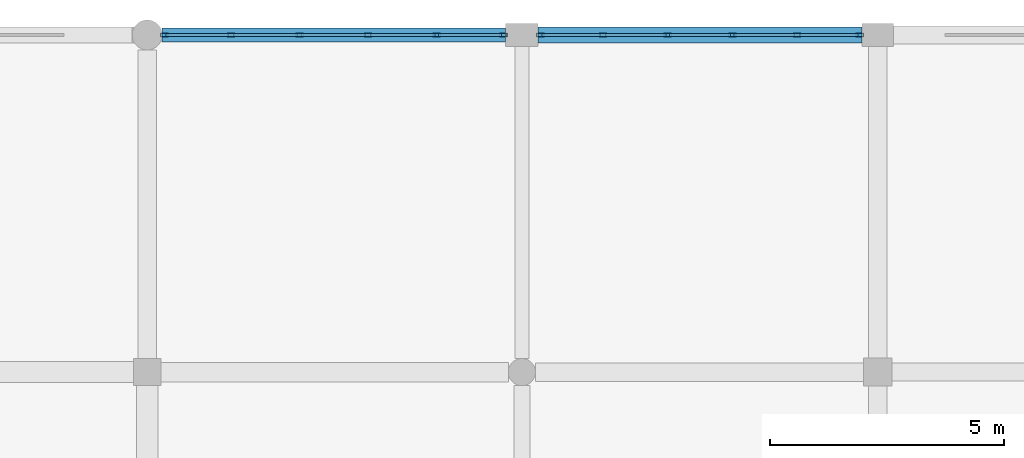
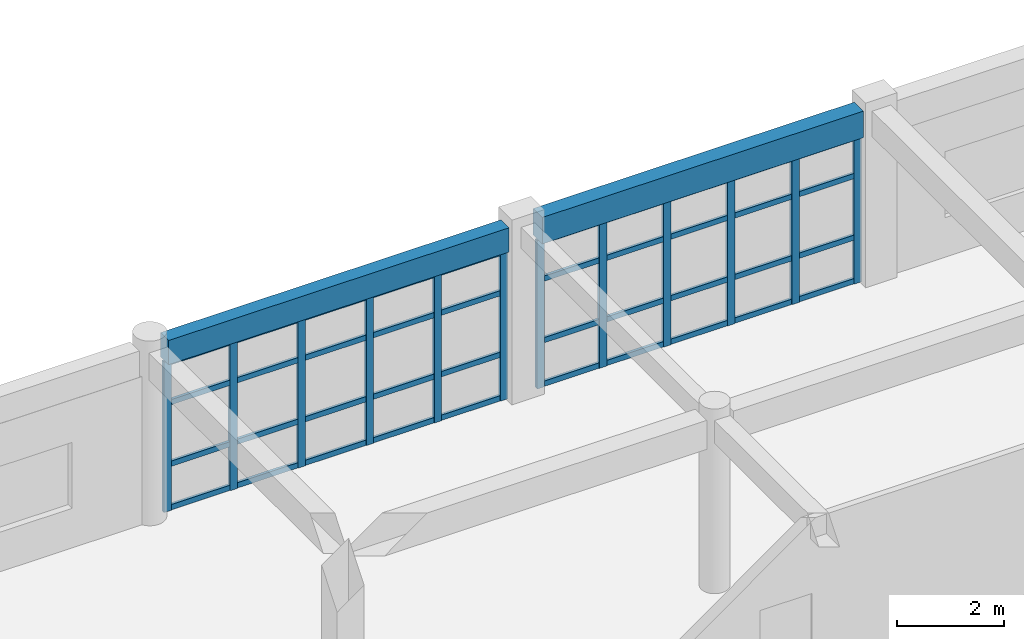
# One storey, part 33 of 53: 52 members, 2 beams, 2 elements without a shape of their own.
"""IFC4 building model written with IfcOpenShell, lengths in metres."""

from ifc_helpers import new_model, si_unit, direction, frame, origin, origin_2d, place, context, subcontext, project, spatial, rectangle, hollow_rectangle, extrude, material, material_profile, profile_set, type_object, element, aggregate, save


model = new_model("IFC4")

# Units and contexts
model_context = context("Model", 3, precision=1e-05, world=origin(), true_north=direction((0.0, 1.0)))
body_context = subcontext(model_context, "Body", "Model", "MODEL_VIEW")
ifc_project = project(units=[si_unit("LENGTHUNIT", "METRE"), si_unit("AREAUNIT", "SQUARE_METRE"), si_unit("VOLUMEUNIT", "CUBIC_METRE"), si_unit("PLANEANGLEUNIT", "RADIAN"), si_unit("MASSUNIT", "GRAM", prefix="KILO")], contexts=[model_context])

# Site, building, storey
site_placement = place(None, origin())
site = spatial("IfcSite", under=ifc_project, at=site_placement, CompositionType="ELEMENT")
building_placement = place(site_placement, origin())
building = spatial("IfcBuilding", under=site, at=building_placement, Name="Kharva Crest Polytechnic", CompositionType="ELEMENT")
storey_placement = place(building_placement, frame((0.0, 0.0, 17.39990234375)))
storey = spatial("IfcBuildingStorey", under=building, at=storey_placement, Name="L04", CompositionType="ELEMENT", Elevation=17.39990234375)

# Curtain wall, members
ifc_material_1 = material(Name="Tempered insulated glass", Category="glass")
curtain_wall_type = type_object("IfcCurtainWallType", Name="CW-SYS-STUDIO", PredefinedType="USERDEFINED", material=ifc_material_1)
curtain_wall_1_placement = place(storey_placement, origin())
curtain_wall_1 = element("IfcCurtainWall", 1, at=curtain_wall_1_placement, inside=storey, type_object=curtain_wall_type, Name="L04 Glazed Curtain Wall CW-173", ObjectType="CURTAIN WALL", PredefinedType="USERDEFINED")
ifc_material_2 = material(Name="Steel S355", Category="steel")
ifc_material_profile_1 = material_profile(ifc_material_2, hollow_rectangle(XDim=0.080078125, YDim=0.159912109375, WallThickness=0.0048828125, at=origin_2d()), Name="RHS 160X80X5.0")
ifc_profile_set_1 = profile_set([ifc_material_profile_1], Name="Steel S355")
member_type_1 = type_object("IfcMemberType", Name="CWM-RHS160X80", PredefinedType="MULLION", material=ifc_profile_set_1)
member_1_placement = place(storey_placement, frame((176.014892578125, 122.0, 0.0), z_axis=(0.0, 0.0, 1.0), x_axis=(0.0, -1.0, 0.0)))
member_1 = element("IfcMember", 2, at=member_1_placement, type_object=member_type_1, Name="CW-173 mullion 1", PredefinedType="MULLION", context=body_context, shape_type="SweptSolid", body=[
    extrude(hollow_rectangle(XDim=0.080078125, YDim=0.159912109375, WallThickness=0.0048828125, at=origin_2d()), origin(), (0.0, 0.0, 1.0), 3.3701171875),
])
member_2_placement = place(storey_placement, frame((174.675048828125, 122.0, 0.0), z_axis=(0.0, 0.0, 1.0), x_axis=(0.0, -1.0, 0.0)))
member_2 = element("IfcMember", 3, at=member_2_placement, type_object=member_type_1, Name="CW-173 mullion 2", PredefinedType="MULLION", context=body_context, shape_type="SweptSolid", body=[
    extrude(hollow_rectangle(XDim=0.080078125, YDim=0.159912109375, WallThickness=0.0048828125, at=origin_2d()), origin(), (0.0, 0.0, 1.0), 3.3701171875),
])
member_3_placement = place(storey_placement, frame((173.294921875, 122.0, 0.0), z_axis=(0.0, 0.0, 1.0), x_axis=(0.0, -1.0, 0.0)))
member_3 = element("IfcMember", 4, at=member_3_placement, type_object=member_type_1, Name="CW-173 mullion 3", PredefinedType="MULLION", context=body_context, shape_type="SweptSolid", body=[
    extrude(hollow_rectangle(XDim=0.080078125, YDim=0.159912109375, WallThickness=0.0048828125, at=origin_2d()), origin(), (0.0, 0.0, 1.0), 3.3701171875),
])
member_4_placement = place(storey_placement, frame((171.9150390625, 122.0, 0.0), z_axis=(0.0, 0.0, 1.0), x_axis=(0.0, -1.0, 0.0)))
member_4 = element("IfcMember", 5, at=member_4_placement, type_object=member_type_1, Name="CW-173 mullion 4", PredefinedType="MULLION", context=body_context, shape_type="SweptSolid", body=[
    extrude(hollow_rectangle(XDim=0.080078125, YDim=0.159912109375, WallThickness=0.0048828125, at=origin_2d()), origin(), (0.0, 0.0, 1.0), 3.3701171875),
])
member_5_placement = place(storey_placement, frame((170.534912109375, 122.0, 0.0), z_axis=(0.0, 0.0, 1.0), x_axis=(0.0, -1.0, 0.0)))
member_5 = element("IfcMember", 6, at=member_5_placement, type_object=member_type_1, Name="CW-173 mullion 5", PredefinedType="MULLION", context=body_context, shape_type="SweptSolid", body=[
    extrude(hollow_rectangle(XDim=0.080078125, YDim=0.159912109375, WallThickness=0.0048828125, at=origin_2d()), origin(), (0.0, 0.0, 1.0), 3.3701171875),
])
member_6_placement = place(storey_placement, frame((169.195068359375, 122.0, 0.0), z_axis=(0.0, 0.0, 1.0), x_axis=(0.0, -1.0, 0.0)))
member_6 = element("IfcMember", 7, at=member_6_placement, type_object=member_type_1, Name="CW-173 mullion 6", PredefinedType="MULLION", context=body_context, shape_type="SweptSolid", body=[
    extrude(hollow_rectangle(XDim=0.080078125, YDim=0.159912109375, WallThickness=0.0048828125, at=origin_2d()), origin(), (0.0, 0.0, 1.0), 3.3701171875),
])

curtain_wall_2_placement = place(storey_placement, origin())
curtain_wall_2 = element("IfcCurtainWall", 8, at=curtain_wall_2_placement, inside=storey, type_object=curtain_wall_type, Name="L04 Glazed Curtain Wall CW-174", ObjectType="CURTAIN WALL", PredefinedType="USERDEFINED")
member_7_placement = place(storey_placement, frame((168.405029296875, 122.0, 0.0), z_axis=(0.0, 0.0, 1.0), x_axis=(0.0, -1.0, 0.0)))
member_7 = element("IfcMember", 9, at=member_7_placement, type_object=member_type_1, Name="CW-174 mullion 1", PredefinedType="MULLION", context=body_context, shape_type="SweptSolid", body=[
    extrude(hollow_rectangle(XDim=0.080078125, YDim=0.159912109375, WallThickness=0.0048828125, at=origin_2d()), origin(), (0.0, 0.0, 1.0), 3.420166015625),
])
member_8_placement = place(storey_placement, frame((166.98095703125, 122.0, 0.0), z_axis=(0.0, 0.0, 1.0), x_axis=(0.0, -1.0, 0.0)))
member_8 = element("IfcMember", 10, at=member_8_placement, type_object=member_type_1, Name="CW-174 mullion 2", PredefinedType="MULLION", context=body_context, shape_type="SweptSolid", body=[
    extrude(hollow_rectangle(XDim=0.080078125, YDim=0.159912109375, WallThickness=0.0048828125, at=origin_2d()), origin(), (0.0, 0.0, 1.0), 3.420166015625),
])
member_9_placement = place(storey_placement, frame((165.51708984375, 122.0, 0.0), z_axis=(0.0, 0.0, 1.0), x_axis=(0.0, -1.0, 0.0)))
member_9 = element("IfcMember", 11, at=member_9_placement, type_object=member_type_1, Name="CW-174 mullion 3", PredefinedType="MULLION", context=body_context, shape_type="SweptSolid", body=[
    extrude(hollow_rectangle(XDim=0.080078125, YDim=0.159912109375, WallThickness=0.0048828125, at=origin_2d()), origin(), (0.0, 0.0, 1.0), 3.420166015625),
])
member_10_placement = place(storey_placement, frame((164.052978515625, 122.0, 0.0), z_axis=(0.0, 0.0, 1.0), x_axis=(0.0, -1.0, 0.0)))
member_10 = element("IfcMember", 12, at=member_10_placement, type_object=member_type_1, Name="CW-174 mullion 4", PredefinedType="MULLION", context=body_context, shape_type="SweptSolid", body=[
    extrude(hollow_rectangle(XDim=0.080078125, YDim=0.159912109375, WallThickness=0.0048828125, at=origin_2d()), origin(), (0.0, 0.0, 1.0), 3.420166015625),
])
member_11_placement = place(storey_placement, frame((162.589111328125, 122.0, 0.0), z_axis=(0.0, 0.0, 1.0), x_axis=(0.0, -1.0, 0.0)))
member_11 = element("IfcMember", 13, at=member_11_placement, type_object=member_type_1, Name="CW-174 mullion 5", PredefinedType="MULLION", context=body_context, shape_type="SweptSolid", body=[
    extrude(hollow_rectangle(XDim=0.080078125, YDim=0.159912109375, WallThickness=0.0048828125, at=origin_2d()), origin(), (0.0, 0.0, 1.0), 3.420166015625),
])
member_12_placement = place(storey_placement, frame((161.1650390625, 122.0, 0.0), z_axis=(0.0, 0.0, 1.0), x_axis=(0.0, -1.0, 0.0)))
member_12 = element("IfcMember", 14, at=member_12_placement, type_object=member_type_1, Name="CW-174 mullion 6", PredefinedType="MULLION", context=body_context, shape_type="SweptSolid", body=[
    extrude(hollow_rectangle(XDim=0.080078125, YDim=0.159912109375, WallThickness=0.0048828125, at=origin_2d()), origin(), (0.0, 0.0, 1.0), 3.420166015625),
])

# Member
ifc_material_profile_2 = material_profile(ifc_material_2, hollow_rectangle(XDim=0.06005859375, YDim=0.1201171875, WallThickness=0.00390625, at=origin_2d()), Name="RHS 120X60X4.0")
ifc_profile_set_2 = profile_set([ifc_material_profile_2], Name="Steel S355")
member_type_2 = type_object("IfcMemberType", Name="CWT-RHS120X60", PredefinedType="USERDEFINED", material=ifc_profile_set_2)
member_13_placement = place(storey_placement, frame((175.97509765625, 122.0, 0.06005859375), z_axis=(-1.0, 0.0, 0.0), x_axis=(0.0, -1.0, 0.0)))
member_13 = element("IfcMember", 15, at=member_13_placement, type_object=member_type_2, Name="CW-173 transom 1.1", ObjectType="TRANSOM", PredefinedType="USERDEFINED", context=body_context, shape_type="SweptSolid", body=[
    extrude(hollow_rectangle(XDim=0.06005859375, YDim=0.1201171875, WallThickness=0.00390625, at=origin_2d()), origin(), (0.0, 0.0, 1.0), 1.260009765625),
])

member_14_placement = place(storey_placement, frame((175.97509765625, 122.0, 1.050048828125), z_axis=(-1.0, 0.0, 0.0), x_axis=(0.0, -1.0, 0.0)))
member_14 = element("IfcMember", 16, at=member_14_placement, type_object=member_type_2, Name="CW-173 transom 1.2", ObjectType="TRANSOM", PredefinedType="USERDEFINED", context=body_context, shape_type="SweptSolid", body=[
    extrude(hollow_rectangle(XDim=0.06005859375, YDim=0.1201171875, WallThickness=0.00390625, at=origin_2d()), origin(), (0.0, 0.0, 1.0), 1.260009765625),
])

member_15_placement = place(storey_placement, frame((175.97509765625, 122.0, 2.4501953125), z_axis=(-1.0, 0.0, 0.0), x_axis=(0.0, -1.0, 0.0)))
member_15 = element("IfcMember", 17, at=member_15_placement, type_object=member_type_2, Name="CW-173 transom 1.3", ObjectType="TRANSOM", PredefinedType="USERDEFINED", context=body_context, shape_type="SweptSolid", body=[
    extrude(hollow_rectangle(XDim=0.06005859375, YDim=0.1201171875, WallThickness=0.00390625, at=origin_2d()), origin(), (0.0, 0.0, 1.0), 1.260009765625),
])

member_16_placement = place(storey_placement, frame((175.97509765625, 122.0, 3.31005859375), z_axis=(-1.0, 0.0, 0.0), x_axis=(0.0, -1.0, 0.0)))
member_16 = element("IfcMember", 18, at=member_16_placement, type_object=member_type_2, Name="CW-173 transom 1.4", ObjectType="TRANSOM", PredefinedType="USERDEFINED", context=body_context, shape_type="SweptSolid", body=[
    extrude(hollow_rectangle(XDim=0.06005859375, YDim=0.1201171875, WallThickness=0.00390625, at=origin_2d()), origin(), (0.0, 0.0, 1.0), 1.260009765625),
])

member_17_placement = place(storey_placement, frame((174.635009765625, 122.0, 0.06005859375), z_axis=(-1.0, 0.0, 0.0), x_axis=(0.0, -1.0, 0.0)))
member_17 = element("IfcMember", 19, at=member_17_placement, type_object=member_type_2, Name="CW-173 transom 2.1", ObjectType="TRANSOM", PredefinedType="USERDEFINED", context=body_context, shape_type="SweptSolid", body=[
    extrude(hollow_rectangle(XDim=0.06005859375, YDim=0.1201171875, WallThickness=0.00390625, at=origin_2d()), origin(), (0.0, 0.0, 1.0), 1.300048828125),
])

member_18_placement = place(storey_placement, frame((174.635009765625, 122.0, 1.050048828125), z_axis=(-1.0, 0.0, 0.0), x_axis=(0.0, -1.0, 0.0)))
member_18 = element("IfcMember", 20, at=member_18_placement, type_object=member_type_2, Name="CW-173 transom 2.2", ObjectType="TRANSOM", PredefinedType="USERDEFINED", context=body_context, shape_type="SweptSolid", body=[
    extrude(hollow_rectangle(XDim=0.06005859375, YDim=0.1201171875, WallThickness=0.00390625, at=origin_2d()), origin(), (0.0, 0.0, 1.0), 1.300048828125),
])

member_19_placement = place(storey_placement, frame((174.635009765625, 122.0, 2.4501953125), z_axis=(-1.0, 0.0, 0.0), x_axis=(0.0, -1.0, 0.0)))
member_19 = element("IfcMember", 21, at=member_19_placement, type_object=member_type_2, Name="CW-173 transom 2.3", ObjectType="TRANSOM", PredefinedType="USERDEFINED", context=body_context, shape_type="SweptSolid", body=[
    extrude(hollow_rectangle(XDim=0.06005859375, YDim=0.1201171875, WallThickness=0.00390625, at=origin_2d()), origin(), (0.0, 0.0, 1.0), 1.300048828125),
])

member_20_placement = place(storey_placement, frame((174.635009765625, 122.0, 3.31005859375), z_axis=(-1.0, 0.0, 0.0), x_axis=(0.0, -1.0, 0.0)))
member_20 = element("IfcMember", 22, at=member_20_placement, type_object=member_type_2, Name="CW-173 transom 2.4", ObjectType="TRANSOM", PredefinedType="USERDEFINED", context=body_context, shape_type="SweptSolid", body=[
    extrude(hollow_rectangle(XDim=0.06005859375, YDim=0.1201171875, WallThickness=0.00390625, at=origin_2d()), origin(), (0.0, 0.0, 1.0), 1.300048828125),
])

member_21_placement = place(storey_placement, frame((173.2548828125, 122.0, 0.06005859375), z_axis=(-1.0, 0.0, 0.0), x_axis=(0.0, -1.0, 0.0)))
member_21 = element("IfcMember", 23, at=member_21_placement, type_object=member_type_2, Name="CW-173 transom 3.1", ObjectType="TRANSOM", PredefinedType="USERDEFINED", context=body_context, shape_type="SweptSolid", body=[
    extrude(hollow_rectangle(XDim=0.06005859375, YDim=0.1201171875, WallThickness=0.00390625, at=origin_2d()), origin(), (0.0, 0.0, 1.0), 1.2998046875),
])

member_22_placement = place(storey_placement, frame((173.2548828125, 122.0, 1.050048828125), z_axis=(-1.0, 0.0, 0.0), x_axis=(0.0, -1.0, 0.0)))
member_22 = element("IfcMember", 24, at=member_22_placement, type_object=member_type_2, Name="CW-173 transom 3.2", ObjectType="TRANSOM", PredefinedType="USERDEFINED", context=body_context, shape_type="SweptSolid", body=[
    extrude(hollow_rectangle(XDim=0.06005859375, YDim=0.1201171875, WallThickness=0.00390625, at=origin_2d()), origin(), (0.0, 0.0, 1.0), 1.2998046875),
])

member_23_placement = place(storey_placement, frame((173.2548828125, 122.0, 2.4501953125), z_axis=(-1.0, 0.0, 0.0), x_axis=(0.0, -1.0, 0.0)))
member_23 = element("IfcMember", 25, at=member_23_placement, type_object=member_type_2, Name="CW-173 transom 3.3", ObjectType="TRANSOM", PredefinedType="USERDEFINED", context=body_context, shape_type="SweptSolid", body=[
    extrude(hollow_rectangle(XDim=0.06005859375, YDim=0.1201171875, WallThickness=0.00390625, at=origin_2d()), origin(), (0.0, 0.0, 1.0), 1.2998046875),
])

member_24_placement = place(storey_placement, frame((173.2548828125, 122.0, 3.31005859375), z_axis=(-1.0, 0.0, 0.0), x_axis=(0.0, -1.0, 0.0)))
member_24 = element("IfcMember", 26, at=member_24_placement, type_object=member_type_2, Name="CW-173 transom 3.4", ObjectType="TRANSOM", PredefinedType="USERDEFINED", context=body_context, shape_type="SweptSolid", body=[
    extrude(hollow_rectangle(XDim=0.06005859375, YDim=0.1201171875, WallThickness=0.00390625, at=origin_2d()), origin(), (0.0, 0.0, 1.0), 1.2998046875),
])

member_25_placement = place(storey_placement, frame((171.875, 122.0, 0.06005859375), z_axis=(-1.0, 0.0, 0.0), x_axis=(0.0, -1.0, 0.0)))
member_25 = element("IfcMember", 27, at=member_25_placement, type_object=member_type_2, Name="CW-173 transom 4.1", ObjectType="TRANSOM", PredefinedType="USERDEFINED", context=body_context, shape_type="SweptSolid", body=[
    extrude(hollow_rectangle(XDim=0.06005859375, YDim=0.1201171875, WallThickness=0.00390625, at=origin_2d()), origin(), (0.0, 0.0, 1.0), 1.300048828125),
])

member_26_placement = place(storey_placement, frame((171.875, 122.0, 1.050048828125), z_axis=(-1.0, 0.0, 0.0), x_axis=(0.0, -1.0, 0.0)))
member_26 = element("IfcMember", 28, at=member_26_placement, type_object=member_type_2, Name="CW-173 transom 4.2", ObjectType="TRANSOM", PredefinedType="USERDEFINED", context=body_context, shape_type="SweptSolid", body=[
    extrude(hollow_rectangle(XDim=0.06005859375, YDim=0.1201171875, WallThickness=0.00390625, at=origin_2d()), origin(), (0.0, 0.0, 1.0), 1.300048828125),
])

member_27_placement = place(storey_placement, frame((171.875, 122.0, 2.4501953125), z_axis=(-1.0, 0.0, 0.0), x_axis=(0.0, -1.0, 0.0)))
member_27 = element("IfcMember", 29, at=member_27_placement, type_object=member_type_2, Name="CW-173 transom 4.3", ObjectType="TRANSOM", PredefinedType="USERDEFINED", context=body_context, shape_type="SweptSolid", body=[
    extrude(hollow_rectangle(XDim=0.06005859375, YDim=0.1201171875, WallThickness=0.00390625, at=origin_2d()), origin(), (0.0, 0.0, 1.0), 1.300048828125),
])

member_28_placement = place(storey_placement, frame((171.875, 122.0, 3.31005859375), z_axis=(-1.0, 0.0, 0.0), x_axis=(0.0, -1.0, 0.0)))
member_28 = element("IfcMember", 30, at=member_28_placement, type_object=member_type_2, Name="CW-173 transom 4.4", ObjectType="TRANSOM", PredefinedType="USERDEFINED", context=body_context, shape_type="SweptSolid", body=[
    extrude(hollow_rectangle(XDim=0.06005859375, YDim=0.1201171875, WallThickness=0.00390625, at=origin_2d()), origin(), (0.0, 0.0, 1.0), 1.300048828125),
])

member_29_placement = place(storey_placement, frame((170.4951171875, 122.0, 0.06005859375), z_axis=(-1.0, 0.0, 0.0), x_axis=(0.0, -1.0, 0.0)))
member_29 = element("IfcMember", 31, at=member_29_placement, type_object=member_type_2, Name="CW-173 transom 5.1", ObjectType="TRANSOM", PredefinedType="USERDEFINED", context=body_context, shape_type="SweptSolid", body=[
    extrude(hollow_rectangle(XDim=0.06005859375, YDim=0.1201171875, WallThickness=0.00390625, at=origin_2d()), origin(), (0.0, 0.0, 1.0), 1.260009765625),
])

member_30_placement = place(storey_placement, frame((170.4951171875, 122.0, 1.050048828125), z_axis=(-1.0, 0.0, 0.0), x_axis=(0.0, -1.0, 0.0)))
member_30 = element("IfcMember", 32, at=member_30_placement, type_object=member_type_2, Name="CW-173 transom 5.2", ObjectType="TRANSOM", PredefinedType="USERDEFINED", context=body_context, shape_type="SweptSolid", body=[
    extrude(hollow_rectangle(XDim=0.06005859375, YDim=0.1201171875, WallThickness=0.00390625, at=origin_2d()), origin(), (0.0, 0.0, 1.0), 1.260009765625),
])

member_31_placement = place(storey_placement, frame((170.4951171875, 122.0, 2.4501953125), z_axis=(-1.0, 0.0, 0.0), x_axis=(0.0, -1.0, 0.0)))
member_31 = element("IfcMember", 33, at=member_31_placement, type_object=member_type_2, Name="CW-173 transom 5.3", ObjectType="TRANSOM", PredefinedType="USERDEFINED", context=body_context, shape_type="SweptSolid", body=[
    extrude(hollow_rectangle(XDim=0.06005859375, YDim=0.1201171875, WallThickness=0.00390625, at=origin_2d()), origin(), (0.0, 0.0, 1.0), 1.260009765625),
])

member_32_placement = place(storey_placement, frame((170.4951171875, 122.0, 3.31005859375), z_axis=(-1.0, 0.0, 0.0), x_axis=(0.0, -1.0, 0.0)))
member_32 = element("IfcMember", 34, at=member_32_placement, type_object=member_type_2, Name="CW-173 transom 5.4", ObjectType="TRANSOM", PredefinedType="USERDEFINED", context=body_context, shape_type="SweptSolid", body=[
    extrude(hollow_rectangle(XDim=0.06005859375, YDim=0.1201171875, WallThickness=0.00390625, at=origin_2d()), origin(), (0.0, 0.0, 1.0), 1.260009765625),
])

aggregate(curtain_wall_1, [member_1, member_2, member_3, member_4, member_5, member_6, member_13, member_14, member_15, member_16, member_17, member_18, member_19, member_20, member_21, member_22, member_23, member_24, member_25, member_26, member_27, member_28, member_29, member_30, member_31, member_32])

member_33_placement = place(storey_placement, frame((168.364990234375, 122.0, 0.06005859375), z_axis=(-1.0, 0.0, 0.0), x_axis=(0.0, -1.0, 0.0)))
member_33 = element("IfcMember", 35, at=member_33_placement, type_object=member_type_2, Name="CW-174 transom 1.1", ObjectType="TRANSOM", PredefinedType="USERDEFINED", context=body_context, shape_type="SweptSolid", body=[
    extrude(hollow_rectangle(XDim=0.06005859375, YDim=0.1201171875, WallThickness=0.00390625, at=origin_2d()), origin(), (0.0, 0.0, 1.0), 1.343994140625),
])

member_34_placement = place(storey_placement, frame((168.364990234375, 122.0, 1.050048828125), z_axis=(-1.0, 0.0, 0.0), x_axis=(0.0, -1.0, 0.0)))
member_34 = element("IfcMember", 36, at=member_34_placement, type_object=member_type_2, Name="CW-174 transom 1.2", ObjectType="TRANSOM", PredefinedType="USERDEFINED", context=body_context, shape_type="SweptSolid", body=[
    extrude(hollow_rectangle(XDim=0.06005859375, YDim=0.1201171875, WallThickness=0.00390625, at=origin_2d()), origin(), (0.0, 0.0, 1.0), 1.343994140625),
])

member_35_placement = place(storey_placement, frame((168.364990234375, 122.0, 2.4501953125), z_axis=(-1.0, 0.0, 0.0), x_axis=(0.0, -1.0, 0.0)))
member_35 = element("IfcMember", 37, at=member_35_placement, type_object=member_type_2, Name="CW-174 transom 1.3", ObjectType="TRANSOM", PredefinedType="USERDEFINED", context=body_context, shape_type="SweptSolid", body=[
    extrude(hollow_rectangle(XDim=0.06005859375, YDim=0.1201171875, WallThickness=0.00390625, at=origin_2d()), origin(), (0.0, 0.0, 1.0), 1.343994140625),
])

member_36_placement = place(storey_placement, frame((168.364990234375, 122.0, 3.360107421875), z_axis=(-1.0, 0.0, 0.0), x_axis=(0.0, -1.0, 0.0)))
member_36 = element("IfcMember", 38, at=member_36_placement, type_object=member_type_2, Name="CW-174 transom 1.4", ObjectType="TRANSOM", PredefinedType="USERDEFINED", context=body_context, shape_type="SweptSolid", body=[
    extrude(hollow_rectangle(XDim=0.06005859375, YDim=0.1201171875, WallThickness=0.00390625, at=origin_2d()), origin(), (0.0, 0.0, 1.0), 1.343994140625),
])

member_37_placement = place(storey_placement, frame((166.94091796875, 122.0, 0.06005859375), z_axis=(-1.0, 0.0, 0.0), x_axis=(0.0, -1.0, 0.0)))
member_37 = element("IfcMember", 39, at=member_37_placement, type_object=member_type_2, Name="CW-174 transom 2.1", ObjectType="TRANSOM", PredefinedType="USERDEFINED", context=body_context, shape_type="SweptSolid", body=[
    extrude(hollow_rectangle(XDim=0.06005859375, YDim=0.1201171875, WallThickness=0.00390625, at=origin_2d()), origin(), (0.0, 0.0, 1.0), 1.384033203125),
])

member_38_placement = place(storey_placement, frame((166.94091796875, 122.0, 1.050048828125), z_axis=(-1.0, 0.0, 0.0), x_axis=(0.0, -1.0, 0.0)))
member_38 = element("IfcMember", 40, at=member_38_placement, type_object=member_type_2, Name="CW-174 transom 2.2", ObjectType="TRANSOM", PredefinedType="USERDEFINED", context=body_context, shape_type="SweptSolid", body=[
    extrude(hollow_rectangle(XDim=0.06005859375, YDim=0.1201171875, WallThickness=0.00390625, at=origin_2d()), origin(), (0.0, 0.0, 1.0), 1.384033203125),
])

member_39_placement = place(storey_placement, frame((166.94091796875, 122.0, 2.4501953125), z_axis=(-1.0, 0.0, 0.0), x_axis=(0.0, -1.0, 0.0)))
member_39 = element("IfcMember", 41, at=member_39_placement, type_object=member_type_2, Name="CW-174 transom 2.3", ObjectType="TRANSOM", PredefinedType="USERDEFINED", context=body_context, shape_type="SweptSolid", body=[
    extrude(hollow_rectangle(XDim=0.06005859375, YDim=0.1201171875, WallThickness=0.00390625, at=origin_2d()), origin(), (0.0, 0.0, 1.0), 1.384033203125),
])

member_40_placement = place(storey_placement, frame((166.94091796875, 122.0, 3.360107421875), z_axis=(-1.0, 0.0, 0.0), x_axis=(0.0, -1.0, 0.0)))
member_40 = element("IfcMember", 42, at=member_40_placement, type_object=member_type_2, Name="CW-174 transom 2.4", ObjectType="TRANSOM", PredefinedType="USERDEFINED", context=body_context, shape_type="SweptSolid", body=[
    extrude(hollow_rectangle(XDim=0.06005859375, YDim=0.1201171875, WallThickness=0.00390625, at=origin_2d()), origin(), (0.0, 0.0, 1.0), 1.384033203125),
])

member_41_placement = place(storey_placement, frame((165.47705078125, 122.0, 0.06005859375), z_axis=(-1.0, 0.0, 0.0), x_axis=(0.0, -1.0, 0.0)))
member_41 = element("IfcMember", 43, at=member_41_placement, type_object=member_type_2, Name="CW-174 transom 3.1", ObjectType="TRANSOM", PredefinedType="USERDEFINED", context=body_context, shape_type="SweptSolid", body=[
    extrude(hollow_rectangle(XDim=0.06005859375, YDim=0.1201171875, WallThickness=0.00390625, at=origin_2d()), origin(), (0.0, 0.0, 1.0), 1.384033203125),
])

member_42_placement = place(storey_placement, frame((165.47705078125, 122.0, 1.050048828125), z_axis=(-1.0, 0.0, 0.0), x_axis=(0.0, -1.0, 0.0)))
member_42 = element("IfcMember", 44, at=member_42_placement, type_object=member_type_2, Name="CW-174 transom 3.2", ObjectType="TRANSOM", PredefinedType="USERDEFINED", context=body_context, shape_type="SweptSolid", body=[
    extrude(hollow_rectangle(XDim=0.06005859375, YDim=0.1201171875, WallThickness=0.00390625, at=origin_2d()), origin(), (0.0, 0.0, 1.0), 1.384033203125),
])

member_43_placement = place(storey_placement, frame((165.47705078125, 122.0, 2.4501953125), z_axis=(-1.0, 0.0, 0.0), x_axis=(0.0, -1.0, 0.0)))
member_43 = element("IfcMember", 45, at=member_43_placement, type_object=member_type_2, Name="CW-174 transom 3.3", ObjectType="TRANSOM", PredefinedType="USERDEFINED", context=body_context, shape_type="SweptSolid", body=[
    extrude(hollow_rectangle(XDim=0.06005859375, YDim=0.1201171875, WallThickness=0.00390625, at=origin_2d()), origin(), (0.0, 0.0, 1.0), 1.384033203125),
])

member_44_placement = place(storey_placement, frame((165.47705078125, 122.0, 3.360107421875), z_axis=(-1.0, 0.0, 0.0), x_axis=(0.0, -1.0, 0.0)))
member_44 = element("IfcMember", 46, at=member_44_placement, type_object=member_type_2, Name="CW-174 transom 3.4", ObjectType="TRANSOM", PredefinedType="USERDEFINED", context=body_context, shape_type="SweptSolid", body=[
    extrude(hollow_rectangle(XDim=0.06005859375, YDim=0.1201171875, WallThickness=0.00390625, at=origin_2d()), origin(), (0.0, 0.0, 1.0), 1.384033203125),
])

member_45_placement = place(storey_placement, frame((164.012939453125, 122.0, 0.06005859375), z_axis=(-1.0, 0.0, 0.0), x_axis=(0.0, -1.0, 0.0)))
member_45 = element("IfcMember", 47, at=member_45_placement, type_object=member_type_2, Name="CW-174 transom 4.1", ObjectType="TRANSOM", PredefinedType="USERDEFINED", context=body_context, shape_type="SweptSolid", body=[
    extrude(hollow_rectangle(XDim=0.06005859375, YDim=0.1201171875, WallThickness=0.00390625, at=origin_2d()), origin(), (0.0, 0.0, 1.0), 1.384033203125),
])

member_46_placement = place(storey_placement, frame((164.012939453125, 122.0, 1.050048828125), z_axis=(-1.0, 0.0, 0.0), x_axis=(0.0, -1.0, 0.0)))
member_46 = element("IfcMember", 48, at=member_46_placement, type_object=member_type_2, Name="CW-174 transom 4.2", ObjectType="TRANSOM", PredefinedType="USERDEFINED", context=body_context, shape_type="SweptSolid", body=[
    extrude(hollow_rectangle(XDim=0.06005859375, YDim=0.1201171875, WallThickness=0.00390625, at=origin_2d()), origin(), (0.0, 0.0, 1.0), 1.384033203125),
])

member_47_placement = place(storey_placement, frame((164.012939453125, 122.0, 2.4501953125), z_axis=(-1.0, 0.0, 0.0), x_axis=(0.0, -1.0, 0.0)))
member_47 = element("IfcMember", 49, at=member_47_placement, type_object=member_type_2, Name="CW-174 transom 4.3", ObjectType="TRANSOM", PredefinedType="USERDEFINED", context=body_context, shape_type="SweptSolid", body=[
    extrude(hollow_rectangle(XDim=0.06005859375, YDim=0.1201171875, WallThickness=0.00390625, at=origin_2d()), origin(), (0.0, 0.0, 1.0), 1.384033203125),
])

member_48_placement = place(storey_placement, frame((164.012939453125, 122.0, 3.360107421875), z_axis=(-1.0, 0.0, 0.0), x_axis=(0.0, -1.0, 0.0)))
member_48 = element("IfcMember", 50, at=member_48_placement, type_object=member_type_2, Name="CW-174 transom 4.4", ObjectType="TRANSOM", PredefinedType="USERDEFINED", context=body_context, shape_type="SweptSolid", body=[
    extrude(hollow_rectangle(XDim=0.06005859375, YDim=0.1201171875, WallThickness=0.00390625, at=origin_2d()), origin(), (0.0, 0.0, 1.0), 1.384033203125),
])

member_49_placement = place(storey_placement, frame((162.549072265625, 122.0, 0.06005859375), z_axis=(-1.0, 0.0, 0.0), x_axis=(0.0, -1.0, 0.0)))
member_49 = element("IfcMember", 51, at=member_49_placement, type_object=member_type_2, Name="CW-174 transom 5.1", ObjectType="TRANSOM", PredefinedType="USERDEFINED", context=body_context, shape_type="SweptSolid", body=[
    extrude(hollow_rectangle(XDim=0.06005859375, YDim=0.1201171875, WallThickness=0.00390625, at=origin_2d()), origin(), (0.0, 0.0, 1.0), 1.343994140625),
])

member_50_placement = place(storey_placement, frame((162.549072265625, 122.0, 1.050048828125), z_axis=(-1.0, 0.0, 0.0), x_axis=(0.0, -1.0, 0.0)))
member_50 = element("IfcMember", 52, at=member_50_placement, type_object=member_type_2, Name="CW-174 transom 5.2", ObjectType="TRANSOM", PredefinedType="USERDEFINED", context=body_context, shape_type="SweptSolid", body=[
    extrude(hollow_rectangle(XDim=0.06005859375, YDim=0.1201171875, WallThickness=0.00390625, at=origin_2d()), origin(), (0.0, 0.0, 1.0), 1.343994140625),
])

member_51_placement = place(storey_placement, frame((162.549072265625, 122.0, 2.4501953125), z_axis=(-1.0, 0.0, 0.0), x_axis=(0.0, -1.0, 0.0)))
member_51 = element("IfcMember", 53, at=member_51_placement, type_object=member_type_2, Name="CW-174 transom 5.3", ObjectType="TRANSOM", PredefinedType="USERDEFINED", context=body_context, shape_type="SweptSolid", body=[
    extrude(hollow_rectangle(XDim=0.06005859375, YDim=0.1201171875, WallThickness=0.00390625, at=origin_2d()), origin(), (0.0, 0.0, 1.0), 1.343994140625),
])

member_52_placement = place(storey_placement, frame((162.549072265625, 122.0, 3.360107421875), z_axis=(-1.0, 0.0, 0.0), x_axis=(0.0, -1.0, 0.0)))
member_52 = element("IfcMember", 54, at=member_52_placement, type_object=member_type_2, Name="CW-174 transom 5.4", ObjectType="TRANSOM", PredefinedType="USERDEFINED", context=body_context, shape_type="SweptSolid", body=[
    extrude(hollow_rectangle(XDim=0.06005859375, YDim=0.1201171875, WallThickness=0.00390625, at=origin_2d()), origin(), (0.0, 0.0, 1.0), 1.343994140625),
])

aggregate(curtain_wall_2, [member_7, member_8, member_9, member_10, member_11, member_12, member_33, member_34, member_35, member_36, member_37, member_38, member_39, member_40, member_41, member_42, member_43, member_44, member_45, member_46, member_47, member_48, member_49, member_50, member_51, member_52])

# Beams
ifc_material_3 = material(Name="Concrete C35/45", Category="concrete")
ifc_material_profile_3 = material_profile(ifc_material_3, rectangle(XDim=0.300048828125, YDim=0.550048828125, at=origin_2d()), Name="RECT 300 X 550")
ifc_profile_set_3 = profile_set([ifc_material_profile_3], Name="Concrete C35/45")
beam_type_1 = type_object("IfcBeamType", Name="SP-RC-300X550", PredefinedType="SPANDREL", material=ifc_profile_set_3)
beam_1_placement = place(storey_placement, frame((161.1201171875, 122.0, 3.695068359375), z_axis=(1.0, 0.0, 0.0), x_axis=(0.0, 1.0, 0.0)))
element("IfcBeam", 55, at=beam_1_placement, inside=storey, type_object=beam_type_1, Name="L04 Beam S/21-22", PredefinedType="SPANDREL", context=body_context, shape_type="SweptSolid", body=[
    extrude(rectangle(XDim=0.300048828125, YDim=0.550048828125, at=origin_2d()), origin(), (0.0, 0.0, 1.0), 7.329833984375),
])
ifc_material_profile_4 = material_profile(ifc_material_3, rectangle(XDim=0.340087890625, YDim=0.60009765625, at=origin_2d()), Name="RECT 340 X 600")
ifc_profile_set_4 = profile_set([ifc_material_profile_4], Name="Concrete C35/45")
beam_type_2 = type_object("IfcBeamType", Name="SP-RC-340X600", PredefinedType="SPANDREL", material=ifc_profile_set_4)
beam_2_placement = place(storey_placement, frame((169.14990234375, 122.0, 3.670166015625), z_axis=(1.0, 0.0, 0.0), x_axis=(0.0, 1.0, 0.0)))
element("IfcBeam", 56, at=beam_2_placement, inside=storey, type_object=beam_type_2, Name="L04 Beam S/22-23", PredefinedType="SPANDREL", context=body_context, shape_type="SweptSolid", body=[
    extrude(rectangle(XDim=0.340087890625, YDim=0.60009765625, at=origin_2d()), origin(), (0.0, 0.0, 1.0), 6.91015625),
])

save(model, "model.ifc")
